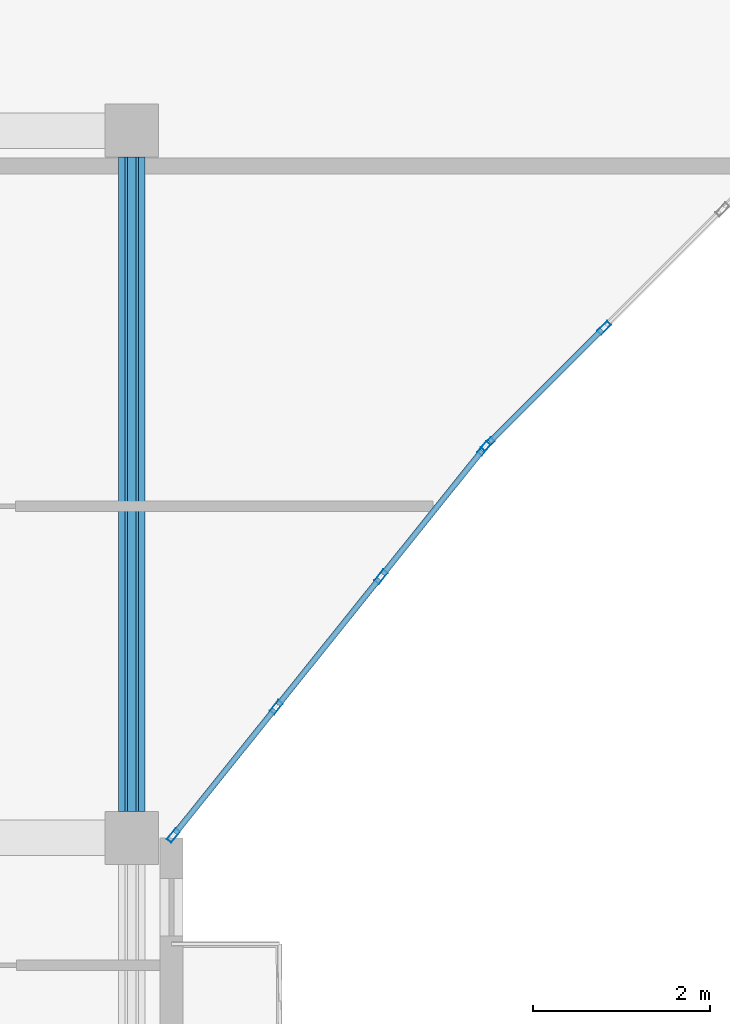
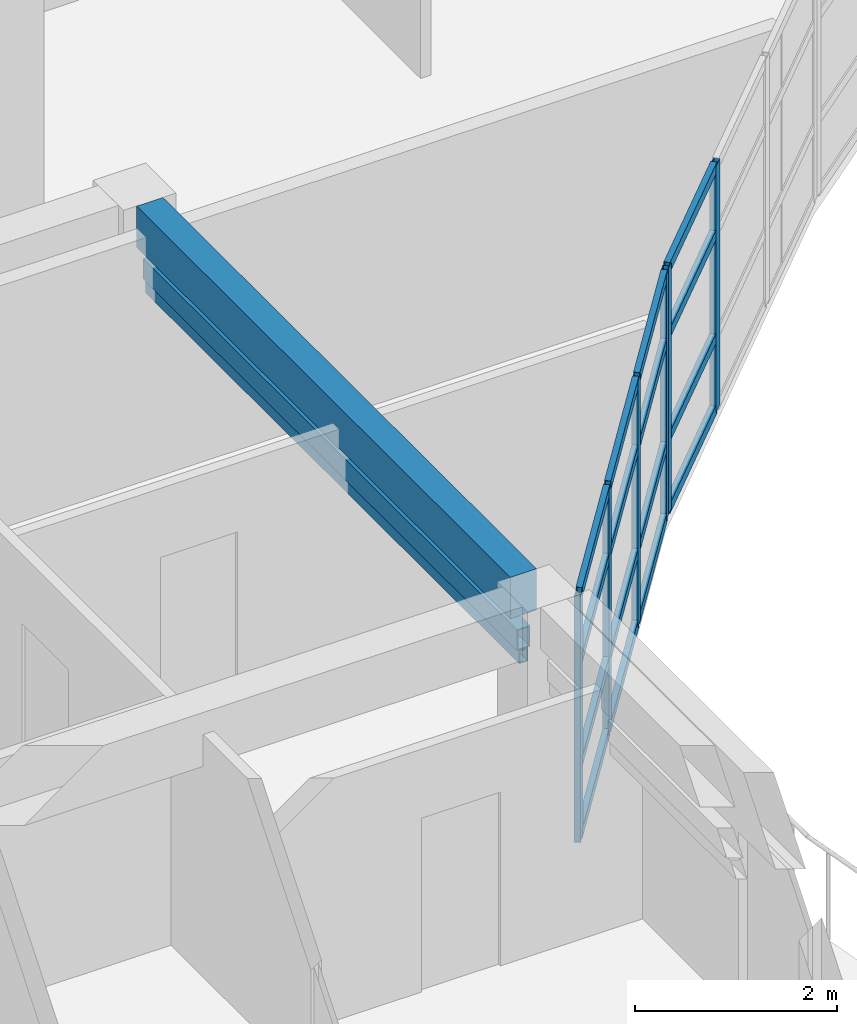
# One storey, part 6 of 72: 24 members, 1 beam, 2 elements without a shape of their own.
"""IFC4 building model written with IfcOpenShell, lengths in metres."""

from ifc_helpers import new_model, si_unit, direction, frame, origin, origin_2d, place, context, subcontext, project, spatial, rectangle, hollow_rectangle, extrude, material, layer, layer_set, material_profile, profile_set, type_object, element, aggregate, save


model = new_model("IFC4")

# Units and contexts
model_context = context("Model", 3, precision=1e-05, world=origin(), true_north=direction((0.0, 1.0)))
body_context = subcontext(model_context, "Body", "Model", "MODEL_VIEW")
ifc_project = project(units=[si_unit("LENGTHUNIT", "METRE"), si_unit("AREAUNIT", "SQUARE_METRE"), si_unit("VOLUMEUNIT", "CUBIC_METRE"), si_unit("PLANEANGLEUNIT", "RADIAN"), si_unit("MASSUNIT", "GRAM", prefix="KILO")], contexts=[model_context])

# Site, building, storey
site_placement = place(None, origin())
site = spatial("IfcSite", under=ifc_project, at=site_placement, CompositionType="ELEMENT")
building_placement = place(site_placement, origin())
building = spatial("IfcBuilding", under=site, at=building_placement, Name="Keldmere Railside Commons", CompositionType="ELEMENT")
storey_placement = place(building_placement, frame((0.0, 0.0, 16.9599609375)))
storey = spatial("IfcBuildingStorey", under=building, at=storey_placement, Name="L05", CompositionType="ELEMENT", Elevation=16.9599609375)

# Member
ifc_material_1 = material(Name="Steel F-36 (S355)", Category="steel")
ifc_material_profile_1 = material_profile(ifc_material_1, hollow_rectangle(XDim=0.14990234375, YDim=0.25, WallThickness=0.010009765625, at=origin_2d()), Name="RHS-250x150x10")
ifc_profile_set_1 = profile_set([ifc_material_profile_1], Name="Steel F-36 (S355)")
member_type_1 = type_object("IfcMemberType", Name="Balcony Continuous Planted Trough RHS250x150", PredefinedType="CHORD", material=ifc_profile_set_1)
member_1_placement = place(storey_placement, frame((63.550048828125, 88.300048828125, 2.4150390625), z_axis=(0.0, 1.0, 0.0), x_axis=(-1.0, 0.0, 0.0)))
element("IfcMember", 1, at=member_1_placement, inside=storey, type_object=member_type_1, Name="PLT-1 MEM-BPLT-0619", PredefinedType="CHORD", context=body_context, shape_type="SweptSolid", body=[
    extrude(hollow_rectangle(XDim=0.14990234375, YDim=0.25, WallThickness=0.010009765625, at=origin_2d()), origin(), (0.0, 0.0, 1.0), 7.39990234375),
])

# Beam
ifc_material_2 = material(Name="Concrete H-30 (C30/37)", Category="concrete")
ifc_material_profile_2 = material_profile(ifc_material_2, rectangle(XDim=0.300048828125, YDim=0.5, at=origin_2d()), Name="RC-300x500")
ifc_profile_set_2 = profile_set([ifc_material_profile_2], Name="Concrete H-30 (C30/37)")
beam_type = type_object("IfcBeamType", Name="Secondary Frame RC Beam 300x500", PredefinedType="BEAM", material=ifc_profile_set_2)
beam_placement = place(storey_placement, frame((63.550048828125, 88.300048828125, 2.949951171875), z_axis=(0.0, 1.0, 0.0), x_axis=(-1.0, 0.0, 0.0)))
element("IfcBeam", 2, at=beam_placement, inside=storey, type_object=beam_type, Name="BG-5 BM-L05-1808", PredefinedType="BEAM", context=body_context, shape_type="SweptSolid", body=[
    extrude(rectangle(XDim=0.300048828125, YDim=0.5, at=origin_2d()), origin(), (0.0, 0.0, 1.0), 7.39990234375),
])

# Member
ifc_material_profile_3 = material_profile(ifc_material_1, hollow_rectangle(XDim=0.10009765625, YDim=0.159912109375, WallThickness=0.008056640625, at=origin_2d()), Name="RHS-160x100x8")
ifc_profile_set_3 = profile_set([ifc_material_profile_3], Name="Steel F-36 (S355)")
member_type_2 = type_object("IfcMemberType", Name="Solar Brise-Soleil Louvre Fin RHS160x100", PredefinedType="STRUT", material=ifc_profile_set_3)
member_2_placement = place(storey_placement, frame((63.550048828125, 88.300048828125, 2.199951171875), z_axis=(0.0, 1.0, 0.0), x_axis=(-1.0, 0.0, 0.0)))
element("IfcMember", 3, at=member_2_placement, inside=storey, type_object=member_type_2, Name="BSF-1 MEM-BSF-0620", PredefinedType="STRUT", context=body_context, shape_type="SweptSolid", body=[
    extrude(hollow_rectangle(XDim=0.10009765625, YDim=0.159912109375, WallThickness=0.008056640625, at=origin_2d()), origin(), (0.0, 0.0, 1.0), 7.39990234375),
])

# Curtain wall, members
ifc_material_3 = material(Name="Thermally Broken Aluminium", Category="aluminium")
ifc_layer_1 = layer(ifc_material_3, 0.159912109375, Name="Court Chord Wintergarden CW 4800x2850")
ifc_layer_set_1 = layer_set([ifc_layer_1], Name="Thermally Broken Aluminium")
curtain_wall_type_1 = type_object("IfcCurtainWallType", Name="Court Chord Wintergarden CW 4800x2850", PredefinedType="NOTDEFINED", material=ifc_layer_set_1)
curtain_wall_1_placement = place(storey_placement, origin())
curtain_wall_1 = element("IfcCurtainWall", 4, at=curtain_wall_1_placement, inside=storey, type_object=curtain_wall_type_1, Name="CW-12 CW-L05-055", PredefinedType="NOTDEFINED")
ifc_material_profile_4 = material_profile(ifc_material_3, hollow_rectangle(XDim=0.06494140625, YDim=0.159912109375, WallThickness=0.00390625, at=origin_2d()), Name="ALU-MULL-65x160")
ifc_profile_set_4 = profile_set([ifc_material_profile_4], Name="Thermally Broken Aluminium")
member_type_3 = type_object("IfcMemberType", Name="Unitised Curtain Wall Mullion 65x160", PredefinedType="MULLION", material=ifc_profile_set_4)
member_3_placement = place(storey_placement, frame((67.53369140625, 92.404541015625, 0.0), z_axis=(0.0, 0.0, 1.0), x_axis=(0.780009172323, -0.625768080915, 0.0)))
member_3 = element("IfcMember", 5, at=member_3_placement, type_object=member_type_3, Name="CW-12 mullion 1", PredefinedType="MULLION", context=body_context, shape_type="SweptSolid", body=[
    extrude(hollow_rectangle(XDim=0.06494140625, YDim=0.159912109375, WallThickness=0.00390625, at=origin_2d()), origin(), (0.0, 0.0, 1.0), 2.97998046875),
])
member_4_placement = place(storey_placement, frame((66.369384765625, 90.953369140625, 0.0), z_axis=(0.0, 0.0, 1.0), x_axis=(0.780009172323, -0.625768080915, 0.0)))
member_4 = element("IfcMember", 6, at=member_4_placement, type_object=member_type_3, Name="CW-12 mullion 2", PredefinedType="MULLION", context=body_context, shape_type="SweptSolid", body=[
    extrude(hollow_rectangle(XDim=0.06494140625, YDim=0.159912109375, WallThickness=0.00390625, at=origin_2d()), origin(), (0.0, 0.0, 1.0), 2.97998046875),
])
member_5_placement = place(storey_placement, frame((65.1845703125, 89.4765625, 0.0), z_axis=(0.0, 0.0, 1.0), x_axis=(0.780009172323, -0.625768080915, 0.0)))
member_5 = element("IfcMember", 7, at=member_5_placement, type_object=member_type_3, Name="CW-12 mullion 3", PredefinedType="MULLION", context=body_context, shape_type="SweptSolid", body=[
    extrude(hollow_rectangle(XDim=0.06494140625, YDim=0.159912109375, WallThickness=0.00390625, at=origin_2d()), origin(), (0.0, 0.0, 1.0), 2.97998046875),
])
member_6_placement = place(storey_placement, frame((64.020263671875, 88.025390625, 0.0), z_axis=(0.0, 0.0, 1.0), x_axis=(0.780009172323, -0.625768080915, 0.0)))
member_6 = element("IfcMember", 8, at=member_6_placement, type_object=member_type_3, Name="CW-12 mullion 4", PredefinedType="MULLION", context=body_context, shape_type="SweptSolid", body=[
    extrude(hollow_rectangle(XDim=0.06494140625, YDim=0.159912109375, WallThickness=0.00390625, at=origin_2d()), origin(), (0.0, 0.0, 1.0), 2.97998046875),
])

ifc_layer_2 = layer(ifc_material_3, 0.159912109375, Name="Court Chord Wintergarden CW 5400x2850")
ifc_layer_set_2 = layer_set([ifc_layer_2], Name="Thermally Broken Aluminium")
curtain_wall_type_2 = type_object("IfcCurtainWallType", Name="Court Chord Wintergarden CW 5400x2850", PredefinedType="NOTDEFINED", material=ifc_layer_set_2)
curtain_wall_2_placement = place(storey_placement, origin())
curtain_wall_2 = element("IfcCurtainWall", 9, at=curtain_wall_2_placement, inside=storey, type_object=curtain_wall_type_2, Name="CW-13 CW-L05-056", PredefinedType="NOTDEFINED")
member_7_placement = place(storey_placement, frame((68.892578125, 93.7685546875, 0.0), z_axis=(0.0, 0.0, 1.0), x_axis=(0.707106781187, -0.707106781187, 0.0)))
member_7 = element("IfcMember", 10, at=member_7_placement, type_object=member_type_3, Name="CW-13 mullion 3", PredefinedType="MULLION", context=body_context, shape_type="SweptSolid", body=[
    extrude(hollow_rectangle(XDim=0.06494140625, YDim=0.159912109375, WallThickness=0.00390625, at=origin_2d()), origin(), (0.0, 0.0, 1.0), 2.97998046875),
])
member_8_placement = place(storey_placement, frame((67.576904296875, 92.452880859375, 0.0), z_axis=(0.0, 0.0, 1.0), x_axis=(0.707106781187, -0.707106781187, 0.0)))
member_8 = element("IfcMember", 11, at=member_8_placement, type_object=member_type_3, Name="CW-13 mullion 4", PredefinedType="MULLION", context=body_context, shape_type="SweptSolid", body=[
    extrude(hollow_rectangle(XDim=0.06494140625, YDim=0.159912109375, WallThickness=0.00390625, at=origin_2d()), origin(), (0.0, 0.0, 1.0), 2.97998046875),
])

# Member
ifc_material_profile_5 = material_profile(ifc_material_3, hollow_rectangle(XDim=0.06494140625, YDim=0.1201171875, WallThickness=0.00390625, at=origin_2d()), Name="ALU-TRAN-65x120")
ifc_profile_set_5 = profile_set([ifc_material_profile_5], Name="Thermally Broken Aluminium")
member_type_4 = type_object("IfcMemberType", Name="Unitised Curtain Wall Transom 65x120", PredefinedType="USERDEFINED", material=ifc_profile_set_5)
member_9_placement = place(storey_placement, frame((67.513427734375, 92.37939453125, 0.032470703125), z_axis=(-0.625805275091, -0.779979331565, 0.0), x_axis=(0.779979331565, -0.625805275091, 0.0)))
member_9 = element("IfcMember", 12, at=member_9_placement, type_object=member_type_4, Name="CW-12 transom 1.1", ObjectType="TRANSOM", PredefinedType="USERDEFINED", context=body_context, shape_type="SweptSolid", body=[
    extrude(hollow_rectangle(XDim=0.06494140625, YDim=0.1201171875, WallThickness=0.00390625, at=origin_2d()), origin(), (0.0, 0.0, 1.0), 1.795654296875),
])

member_10_placement = place(storey_placement, frame((67.513427734375, 92.37939453125, 0.900146484375), z_axis=(-0.625805275091, -0.779979331565, 0.0), x_axis=(0.779979331565, -0.625805275091, 0.0)))
member_10 = element("IfcMember", 13, at=member_10_placement, type_object=member_type_4, Name="CW-12 transom 1.2", ObjectType="TRANSOM", PredefinedType="USERDEFINED", context=body_context, shape_type="SweptSolid", body=[
    extrude(hollow_rectangle(XDim=0.06494140625, YDim=0.1201171875, WallThickness=0.00390625, at=origin_2d()), origin(), (0.0, 0.0, 1.0), 1.795654296875),
])

member_11_placement = place(storey_placement, frame((67.513427734375, 92.37939453125, 2.150146484375), z_axis=(-0.625805275091, -0.779979331565, 0.0), x_axis=(0.779979331565, -0.625805275091, 0.0)))
member_11 = element("IfcMember", 14, at=member_11_placement, type_object=member_type_4, Name="CW-12 transom 1.3", ObjectType="TRANSOM", PredefinedType="USERDEFINED", context=body_context, shape_type="SweptSolid", body=[
    extrude(hollow_rectangle(XDim=0.06494140625, YDim=0.1201171875, WallThickness=0.00390625, at=origin_2d()), origin(), (0.0, 0.0, 1.0), 1.795654296875),
])

member_12_placement = place(storey_placement, frame((67.513427734375, 92.37939453125, 2.947509765625), z_axis=(-0.625805275091, -0.779979331565, 0.0), x_axis=(0.779979331565, -0.625805275091, 0.0)))
member_12 = element("IfcMember", 15, at=member_12_placement, type_object=member_type_4, Name="CW-12 transom 1.4", ObjectType="TRANSOM", PredefinedType="USERDEFINED", context=body_context, shape_type="SweptSolid", body=[
    extrude(hollow_rectangle(XDim=0.06494140625, YDim=0.1201171875, WallThickness=0.00390625, at=origin_2d()), origin(), (0.0, 0.0, 1.0), 1.795654296875),
])

member_13_placement = place(storey_placement, frame((66.348876953125, 90.927978515625, 0.032470703125), z_axis=(-0.625688033635, -0.78007338409, 0.0), x_axis=(0.78007338409, -0.625688033635, 0.0)))
member_13 = element("IfcMember", 16, at=member_13_placement, type_object=member_type_4, Name="CW-12 transom 2.1", ObjectType="TRANSOM", PredefinedType="USERDEFINED", context=body_context, shape_type="SweptSolid", body=[
    extrude(hollow_rectangle(XDim=0.06494140625, YDim=0.1201171875, WallThickness=0.00390625, at=origin_2d()), origin(), (0.0, 0.0, 1.0), 1.828125),
])

member_14_placement = place(storey_placement, frame((66.348876953125, 90.927978515625, 0.900146484375), z_axis=(-0.625688033635, -0.78007338409, 0.0), x_axis=(0.78007338409, -0.625688033635, 0.0)))
member_14 = element("IfcMember", 17, at=member_14_placement, type_object=member_type_4, Name="CW-12 transom 2.2", ObjectType="TRANSOM", PredefinedType="USERDEFINED", context=body_context, shape_type="SweptSolid", body=[
    extrude(hollow_rectangle(XDim=0.06494140625, YDim=0.1201171875, WallThickness=0.00390625, at=origin_2d()), origin(), (0.0, 0.0, 1.0), 1.828125),
])

member_15_placement = place(storey_placement, frame((66.348876953125, 90.927978515625, 2.150146484375), z_axis=(-0.625688033635, -0.78007338409, 0.0), x_axis=(0.78007338409, -0.625688033635, 0.0)))
member_15 = element("IfcMember", 18, at=member_15_placement, type_object=member_type_4, Name="CW-12 transom 2.3", ObjectType="TRANSOM", PredefinedType="USERDEFINED", context=body_context, shape_type="SweptSolid", body=[
    extrude(hollow_rectangle(XDim=0.06494140625, YDim=0.1201171875, WallThickness=0.00390625, at=origin_2d()), origin(), (0.0, 0.0, 1.0), 1.828125),
])

member_16_placement = place(storey_placement, frame((66.348876953125, 90.927978515625, 2.947509765625), z_axis=(-0.625688033635, -0.78007338409, 0.0), x_axis=(0.78007338409, -0.625688033635, 0.0)))
member_16 = element("IfcMember", 19, at=member_16_placement, type_object=member_type_4, Name="CW-12 transom 2.4", ObjectType="TRANSOM", PredefinedType="USERDEFINED", context=body_context, shape_type="SweptSolid", body=[
    extrude(hollow_rectangle(XDim=0.06494140625, YDim=0.1201171875, WallThickness=0.00390625, at=origin_2d()), origin(), (0.0, 0.0, 1.0), 1.828125),
])

member_17_placement = place(storey_placement, frame((65.164306640625, 89.451416015625, 0.032470703125), z_axis=(-0.625722553313, -0.780045694992, 0.0), x_axis=(0.780045694992, -0.625722553313, 0.0)))
member_17 = element("IfcMember", 20, at=member_17_placement, type_object=member_type_4, Name="CW-12 transom 3.1", ObjectType="TRANSOM", PredefinedType="USERDEFINED", context=body_context, shape_type="SweptSolid", body=[
    extrude(hollow_rectangle(XDim=0.06494140625, YDim=0.1201171875, WallThickness=0.00390625, at=origin_2d()), origin(), (0.0, 0.0, 1.0), 1.795654296875),
])

member_18_placement = place(storey_placement, frame((65.164306640625, 89.451416015625, 0.900146484375), z_axis=(-0.625722553313, -0.780045694992, 0.0), x_axis=(0.780045694992, -0.625722553313, 0.0)))
member_18 = element("IfcMember", 21, at=member_18_placement, type_object=member_type_4, Name="CW-12 transom 3.2", ObjectType="TRANSOM", PredefinedType="USERDEFINED", context=body_context, shape_type="SweptSolid", body=[
    extrude(hollow_rectangle(XDim=0.06494140625, YDim=0.1201171875, WallThickness=0.00390625, at=origin_2d()), origin(), (0.0, 0.0, 1.0), 1.795654296875),
])

member_19_placement = place(storey_placement, frame((65.164306640625, 89.451416015625, 2.150146484375), z_axis=(-0.625722553313, -0.780045694992, 0.0), x_axis=(0.780045694992, -0.625722553313, 0.0)))
member_19 = element("IfcMember", 22, at=member_19_placement, type_object=member_type_4, Name="CW-12 transom 3.3", ObjectType="TRANSOM", PredefinedType="USERDEFINED", context=body_context, shape_type="SweptSolid", body=[
    extrude(hollow_rectangle(XDim=0.06494140625, YDim=0.1201171875, WallThickness=0.00390625, at=origin_2d()), origin(), (0.0, 0.0, 1.0), 1.795654296875),
])

member_20_placement = place(storey_placement, frame((65.164306640625, 89.451416015625, 2.947509765625), z_axis=(-0.625722553313, -0.780045694992, 0.0), x_axis=(0.780045694992, -0.625722553313, 0.0)))
member_20 = element("IfcMember", 23, at=member_20_placement, type_object=member_type_4, Name="CW-12 transom 3.4", ObjectType="TRANSOM", PredefinedType="USERDEFINED", context=body_context, shape_type="SweptSolid", body=[
    extrude(hollow_rectangle(XDim=0.06494140625, YDim=0.1201171875, WallThickness=0.00390625, at=origin_2d()), origin(), (0.0, 0.0, 1.0), 1.795654296875),
])

aggregate(curtain_wall_1, [member_3, member_4, member_5, member_6, member_9, member_10, member_11, member_12, member_13, member_14, member_15, member_16, member_17, member_18, member_19, member_20])

member_21_placement = place(storey_placement, frame((68.86962890625, 93.74560546875, 0.032470703125), z_axis=(-0.707174762418, -0.707038793419, 0.0), x_axis=(0.707038793419, -0.707174762418, 0.0)))
member_21 = element("IfcMember", 24, at=member_21_placement, type_object=member_type_4, Name="CW-13 transom 3.1", ObjectType="TRANSOM", PredefinedType="USERDEFINED", context=body_context, shape_type="SweptSolid", body=[
    extrude(hollow_rectangle(XDim=0.06494140625, YDim=0.1201171875, WallThickness=0.00390625, at=origin_2d()), origin(), (0.0, 0.0, 1.0), 1.795654296875),
])

member_22_placement = place(storey_placement, frame((68.86962890625, 93.74560546875, 0.900146484375), z_axis=(-0.707174762418, -0.707038793419, 0.0), x_axis=(0.707038793419, -0.707174762418, 0.0)))
member_22 = element("IfcMember", 25, at=member_22_placement, type_object=member_type_4, Name="CW-13 transom 3.2", ObjectType="TRANSOM", PredefinedType="USERDEFINED", context=body_context, shape_type="SweptSolid", body=[
    extrude(hollow_rectangle(XDim=0.06494140625, YDim=0.1201171875, WallThickness=0.00390625, at=origin_2d()), origin(), (0.0, 0.0, 1.0), 1.795654296875),
])

member_23_placement = place(storey_placement, frame((68.86962890625, 93.74560546875, 2.150146484375), z_axis=(-0.707174762418, -0.707038793419, 0.0), x_axis=(0.707038793419, -0.707174762418, 0.0)))
member_23 = element("IfcMember", 26, at=member_23_placement, type_object=member_type_4, Name="CW-13 transom 3.3", ObjectType="TRANSOM", PredefinedType="USERDEFINED", context=body_context, shape_type="SweptSolid", body=[
    extrude(hollow_rectangle(XDim=0.06494140625, YDim=0.1201171875, WallThickness=0.00390625, at=origin_2d()), origin(), (0.0, 0.0, 1.0), 1.795654296875),
])

member_24_placement = place(storey_placement, frame((68.86962890625, 93.74560546875, 2.947509765625), z_axis=(-0.707174762418, -0.707038793419, 0.0), x_axis=(0.707038793419, -0.707174762418, 0.0)))
member_24 = element("IfcMember", 27, at=member_24_placement, type_object=member_type_4, Name="CW-13 transom 3.4", ObjectType="TRANSOM", PredefinedType="USERDEFINED", context=body_context, shape_type="SweptSolid", body=[
    extrude(hollow_rectangle(XDim=0.06494140625, YDim=0.1201171875, WallThickness=0.00390625, at=origin_2d()), origin(), (0.0, 0.0, 1.0), 1.795654296875),
])

aggregate(curtain_wall_2, [member_7, member_8, member_21, member_22, member_23, member_24])

save(model, "model.ifc")
